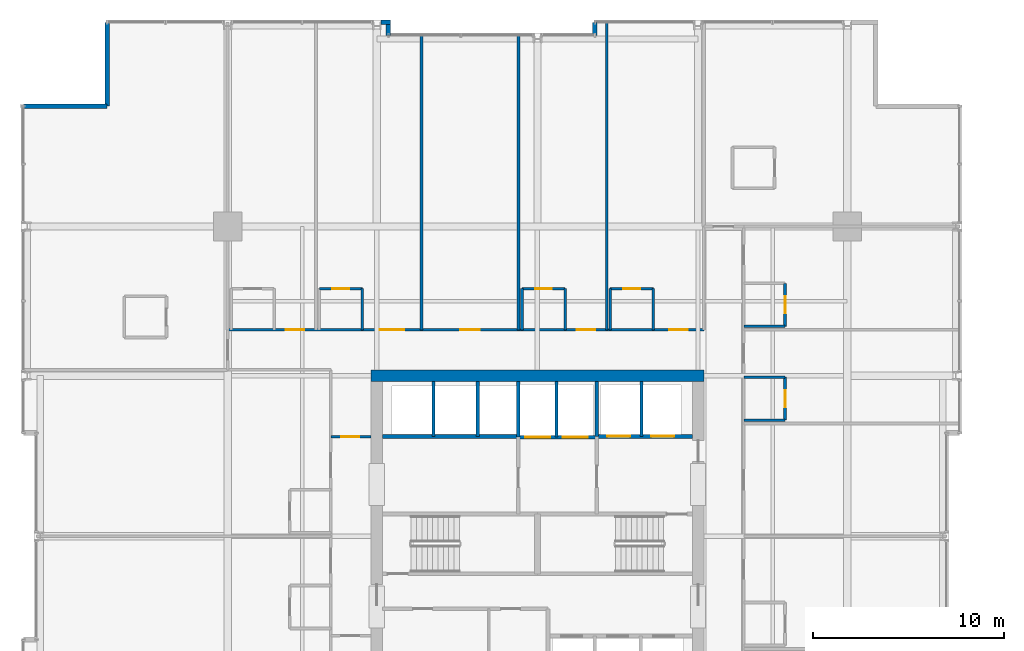
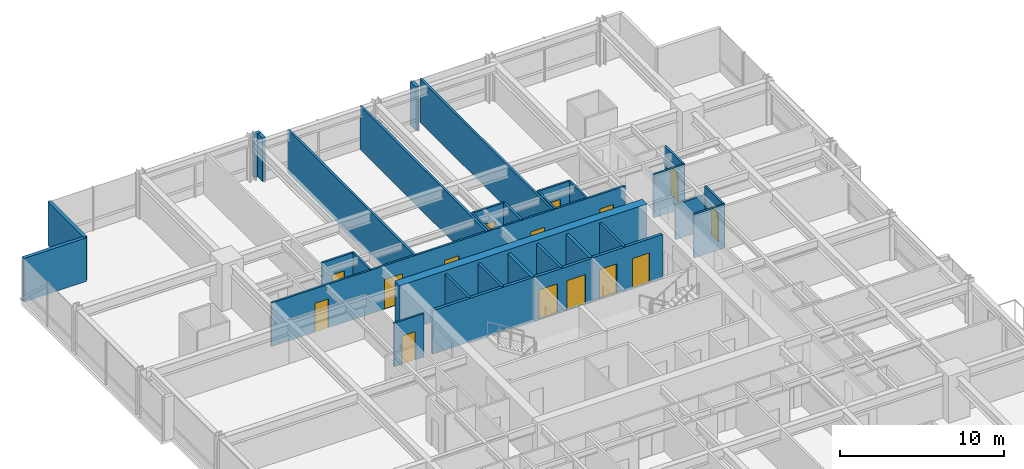
# One storey, part 31 of 34: 33 walls, 15 doors, 15 openings.
"""IFC4 building model written with IfcOpenShell, lengths in metres."""

import ifcopenshell
import ifcopenshell.guid

model = None  # the IFC model being written
_history = None  # IfcOwnerHistory: only IFC2X3 demands one
_inside = {}  # id of a spatial element -> (the spatial element, [elements in it])
_under = {}  # id of a project, library or spatial element -> (it, [spatial elements below it])
_declared = {}  # id of a project -> (the project, [libraries it declares])
_typed = {}  # id of a type object -> (the type object, [elements of that type])
_made_of = {}  # id of a material, layer set ... -> (it, [elements and type objects made of it])


def new_model(schema):
    """Start an empty IFC model of exactly this schema.

    Asked for "IFC4X3", IfcOpenShell would pick the latest addendum, in which some entities
    have other attributes; the version numbers below select the first issue.
    IFC2X3 requires an IfcOwnerHistory on every rooted entity: one is made here for all.
    """
    global model, _history
    if schema == "IFC4X3":
        model = ifcopenshell.file(schema_version=(4, 3, 0, 0))
    else:
        model = ifcopenshell.file(schema=schema)
    _inside.clear()
    _under.clear()
    _declared.clear()
    _typed.clear()
    _made_of.clear()
    _history = None
    if model.schema == "IFC2X3":
        org = make("IfcOrganization", Name="unknown")
        user = make(
            "IfcPersonAndOrganization",
            ThePerson=make("IfcPerson", FamilyName="unknown"),
            TheOrganization=org,
        )
        app = make(
            "IfcApplication",
            ApplicationDeveloper=org,
            Version="unknown",
            ApplicationFullName="unknown",
            ApplicationIdentifier="unknown",
        )
        _history = make(
            "IfcOwnerHistory",
            OwningUser=user,
            OwningApplication=app,
            ChangeAction="ADDED",
            CreationDate=0,
        )
    return model


def make(cls, **values):
    """One entity of the class cls with the attributes given. An attribute that is None is left unset."""
    return model.create_entity(
        cls, **{name: value for name, value in values.items() if value is not None}
    )


def rooted(cls, **values):
    """An entity with a GlobalId (a new one), such as an element, a storey or a relation."""
    return make(cls, GlobalId=ifcopenshell.guid.new(), OwnerHistory=_history, **values)


def si_unit(unit_type, name, prefix=None):
    """IfcSIUnit, for example si_unit("LENGTHUNIT", "METRE", prefix="MILLI")."""
    return make("IfcSIUnit", UnitType=unit_type, Prefix=prefix, Name=name)


def assignment(units):
    """IfcUnitAssignment: the units of a project."""
    return None if units is None else make("IfcUnitAssignment", Units=units)


def point(xyz):
    """IfcCartesianPoint."""
    return None if xyz is None else make("IfcCartesianPoint", Coordinates=xyz)


def direction(xyz):
    """IfcDirection."""
    return None if xyz is None else make("IfcDirection", DirectionRatios=xyz)


def frame(location, z_axis=None, x_axis=None):
    """IfcAxis2Placement3D, a coordinate frame: its origin and axes. An axis left out is left unset."""
    return make(
        "IfcAxis2Placement3D",
        Location=point(location),
        Axis=direction(z_axis),
        RefDirection=direction(x_axis),
    )


def frame_2d(location, x_axis=None):
    """IfcAxis2Placement2D, a coordinate frame in the plane: its origin and x axis."""
    return make(
        "IfcAxis2Placement2D", Location=point(location), RefDirection=direction(x_axis)
    )


def origin():
    """The frame at (0, 0, 0) with its axes left unset."""
    return frame((0.0, 0.0, 0.0))


def place(relative_to, where):
    """IfcLocalPlacement: puts the frame where relative to a parent placement (None: the world)."""
    return make(
        "IfcLocalPlacement", PlacementRelTo=relative_to, RelativePlacement=where
    )


def context(
    kind, dimensions, precision=None, world=None, true_north=None, identifier=None
):
    """IfcGeometricRepresentationContext, for example the 3D "Model" context."""
    return make(
        "IfcGeometricRepresentationContext",
        ContextIdentifier=identifier,
        ContextType=kind,
        CoordinateSpaceDimension=dimensions,
        Precision=precision,
        WorldCoordinateSystem=world,
        TrueNorth=true_north,
    )


def subcontext(parent, identifier, kind, view, scale=None):
    """IfcGeometricRepresentationSubContext, for example "Body" below "Model"."""
    return make(
        "IfcGeometricRepresentationSubContext",
        ContextIdentifier=identifier,
        ContextType=kind,
        ParentContext=parent,
        TargetScale=scale,
        TargetView=view,
    )


def project(units=None, contexts=None):
    """IfcProject with its units and contexts."""
    return rooted(
        "IfcProject",
        Name="project",
        RepresentationContexts=contexts,
        UnitsInContext=assignment(units),
    )


def spatial(cls, under=None, at=None, **own):
    """A site, building, storey or space (cls), placed at a placement, below another one or the project."""
    s = rooted(cls, ObjectPlacement=at, **own)
    if under is not None:
        _under.setdefault(under.id(), (under, []))[1].append(s)
    return s


def profile(cls, at=None, kind="AREA", **sizes):
    """A parametric profile (cls). Its sizes go by their IFC names, for example OverallWidth=200.0."""
    return make(cls, ProfileType=kind, Position=at, **sizes)


def rectangle(**sizes):
    """IfcRectangleProfileDef."""
    return profile("IfcRectangleProfileDef", **sizes)


def extrude(swept, where, along, depth):
    """IfcExtrudedAreaSolid: the profile swept, set in the frame where, extruded along a direction by depth."""
    return make(
        "IfcExtrudedAreaSolid",
        SweptArea=swept,
        Position=where,
        ExtrudedDirection=direction(along),
        Depth=depth,
    )


def shape(context_of_items, identifier, shape_type, items):
    """IfcShapeRepresentation: the items that make up one representation, for example the "Body"."""
    return make(
        "IfcShapeRepresentation",
        ContextOfItems=context_of_items,
        RepresentationIdentifier=identifier,
        RepresentationType=shape_type,
        Items=items,
    )


def material(Name=None, Category=None):
    """IfcMaterial."""
    return make("IfcMaterial", Name=Name, Category=Category)


def layer(
    of_material, thickness, ventilated=None, Name=None, Category=None, Priority=None
):
    """IfcMaterialLayer: one layer of a wall or slab, of a material (None: an air gap)."""
    return make(
        "IfcMaterialLayer",
        Material=of_material,
        LayerThickness=thickness,
        IsVentilated=ventilated,
        Name=Name,
        Category=Category,
        Priority=Priority,
    )


def layer_set(layers, Name=None):
    """IfcMaterialLayerSet."""
    return make("IfcMaterialLayerSet", MaterialLayers=layers, LayerSetName=Name)


def made_of(thing, what):
    """Note that an element or type object is made of a material, layer set ...; save() writes the relation."""
    if what is not None:
        _made_of.setdefault(what.id(), (what, []))[1].append(thing)
    return thing


def type_object(cls, material=None, **own):
    """A type object (cls), such as IfcWallType, which elements share."""
    return made_of(rooted(cls, **own), material)


def element(
    cls,
    number,
    at=None,
    inside=None,
    cuts=None,
    type_object=None,
    material=None,
    context=None,
    identifier="Body",
    shape_type=None,
    held_by="IfcProductDefinitionShape",
    body=None,
    shapes=None,
    **own,
):
    """One element of the class cls, such as IfcWall. Its Tag is "e" and its number.

    at: its placement. inside: the storey or other place that contains it. cuts: it is an
    opening in that element (IfcRelVoidsElement). A single representation is given by context,
    identifier, shape_type and body (its items); several are given by shapes. held_by: the class
    of the entity that holds the representations. save() writes the other relations.
    """
    e = rooted(cls, Tag="e%d" % number, ObjectPlacement=at, **own)
    if body is not None:
        shapes = [shape(context, identifier, shape_type, body)]
    if shapes is not None:
        e.Representation = make(held_by, Representations=shapes)
    if inside is not None:
        _inside.setdefault(inside.id(), (inside, []))[1].append(e)
    if cuts is not None:
        rooted(
            "IfcRelVoidsElement", RelatingBuildingElement=cuts, RelatedOpeningElement=e
        )
    if type_object is not None:
        _typed.setdefault(type_object.id(), (type_object, []))[1].append(e)
    return made_of(e, material)


def fill(opening, filler):
    """IfcRelFillsElement: the door or window that sits in an opening."""
    return rooted(
        "IfcRelFillsElement",
        RelatingOpeningElement=opening,
        RelatedBuildingElement=filler,
    )


def aggregate(whole, parts):
    """IfcRelAggregates: a whole, such as a stair, and the parts it consists of."""
    return rooted("IfcRelAggregates", RelatingObject=whole, RelatedObjects=parts)


def save(model, path):
    """Write the relations noted so far, then the file.

    IfcRelAggregates (storeys below a building ...), IfcRelContainedInSpatialStructure (elements
    in a storey), IfcRelDefinesByType, IfcRelAssociatesMaterial and IfcRelDeclares: one each for
    every whole, place, type object, material and project.
    """
    for whole, parts in _under.values():
        aggregate(whole, parts)
    for where, things in _inside.values():
        rooted(
            "IfcRelContainedInSpatialStructure",
            RelatedElements=things,
            RelatingStructure=where,
        )
    for kind, things in _typed.values():
        rooted("IfcRelDefinesByType", RelatedObjects=things, RelatingType=kind)
    for what, things in _made_of.values():
        rooted("IfcRelAssociatesMaterial", RelatedObjects=things, RelatingMaterial=what)
    for by, libraries in _declared.values():
        rooted("IfcRelDeclares", RelatingContext=by, RelatedDefinitions=libraries)
    model.write(path)


model = new_model("IFC4")

# Units and contexts
model_context = context("Model", 3, precision=1e-05, world=origin(), true_north=direction((0.0, 1.0)))
body_context = subcontext(model_context, "Body", "Model", "MODEL_VIEW")
ifc_project = project(units=[si_unit("LENGTHUNIT", "METRE"), si_unit("AREAUNIT", "SQUARE_METRE"), si_unit("VOLUMEUNIT", "CUBIC_METRE"), si_unit("PLANEANGLEUNIT", "RADIAN"), si_unit("MASSUNIT", "GRAM", prefix="KILO")], contexts=[model_context])

# Site, building, storey
site_placement = place(None, origin())
site = spatial("IfcSite", under=ifc_project, at=site_placement, CompositionType="ELEMENT")
building_placement = place(site_placement, origin())
building = spatial("IfcBuilding", under=site, at=building_placement, Name="Drelvath Grand Hotel", CompositionType="ELEMENT")
storey_placement = place(building_placement, frame((0.0, 0.0, 91.800048828125)))
storey = spatial("IfcBuildingStorey", under=building, at=storey_placement, Name="L22", CompositionType="ELEMENT", Elevation=91.800048828125)

# Wall, openings, doors
ifc_material_1 = material(Name="Concrete C40/50", Category="concrete")
ifc_layer_1 = layer(ifc_material_1, 0.199951171875)
ifc_layer_set_1 = layer_set([ifc_layer_1], Name="Concrete C40/50")
wall_type_1 = type_object("IfcWallType", Name="Core Hoistway Fire Wall 200", PredefinedType="SOLIDWALL", material=ifc_layer_set_1)
wall_1_placement = place(storey_placement, frame((3.10009765625, 32.219970703125, 0.0), z_axis=(0.0, 0.0, 1.0), x_axis=(1.0, 0.0, 0.0)))
wall_1 = element("IfcWall", 1, at=wall_1_placement, inside=storey, type_object=wall_type_1, Name="L22 FSAE Hoistway Front Wall", PredefinedType="SOLIDWALL", context=body_context, shape_type="SweptSolid", body=[
    extrude(rectangle(XDim=5.0, YDim=0.199951171875, at=frame_2d((2.5, 0.0))), origin(), (0.0, 0.0, 1.0), 3.239990234375),
])
opening_1_placement = place(wall_1_placement, frame((0.550048828125, 0.0, 0.0)))
opening_1 = element("IfcOpeningElement", 2, at=opening_1_placement, cuts=wall_1, Name="Opening LD-FSAE-1", PredefinedType="OPENING", context=body_context, shape_type="SweptSolid", body=[
    extrude(rectangle(XDim=1.199951171875, YDim=2.199951171875, at=frame_2d((0.60009765625, 1.10009765625))), frame((0.0, 0.10986328125, 0.0), z_axis=(0.0, -1.0, 0.0), x_axis=(1.0, 0.0, 0.0)), (0.0, 0.0, 1.0), 0.219970703125),
])
opening_2_placement = place(wall_1_placement, frame((2.85009765625, 0.0, 0.0)))
opening_2 = element("IfcOpeningElement", 3, at=opening_2_placement, cuts=wall_1, Name="Opening LD-FSAE-2", PredefinedType="OPENING", context=body_context, shape_type="SweptSolid", body=[
    extrude(rectangle(XDim=1.199951171875, YDim=2.199951171875, at=frame_2d((0.60009765625, 1.10009765625))), frame((0.0, 0.10986328125, 0.0), z_axis=(0.0, -1.0, 0.0), x_axis=(1.0, 0.0, 0.0)), (0.0, 0.0, 1.0), 0.219970703125),
])
ifc_material_2 = material(Name="Stainless Steel S355", Category="steel")
door_type_1 = type_object("IfcDoorType", Name="FSAE Lift Sliding Landing Door 1200x2200", OperationType="NOTDEFINED", PredefinedType="DOOR", material=ifc_material_2)
door_1_placement = place(opening_1_placement, origin())
door_1 = element("IfcDoor", 4, at=door_1_placement, inside=storey, type_object=door_type_1, Name="L22 Lift FSAE-1 Landing Door", OperationType="SLIDING_TO_LEFT", OverallHeight=2.199951171875, OverallWidth=1.199951171875, PredefinedType="DOOR", context=body_context, shape_type="SweptSolid", body=[
    extrude(rectangle(XDim=1.199951171875, YDim=2.199951171875, at=frame_2d((0.60009765625, 1.10009765625))), frame((0.0, 0.02490234375, 0.0), z_axis=(0.0, -1.0, 0.0), x_axis=(1.0, 0.0, 0.0)), (0.0, 0.0, 1.0), 0.050048828125),
])
fill(opening_1, door_1)
door_2_placement = place(opening_2_placement, origin())
door_2 = element("IfcDoor", 5, at=door_2_placement, inside=storey, type_object=door_type_1, Name="L22 Lift FSAE-2 Landing Door", OperationType="SLIDING_TO_LEFT", OverallHeight=2.199951171875, OverallWidth=1.199951171875, PredefinedType="DOOR", context=body_context, shape_type="SweptSolid", body=[
    extrude(rectangle(XDim=1.199951171875, YDim=2.199951171875, at=frame_2d((0.60009765625, 1.10009765625))), frame((0.0, 0.02490234375, 0.0), z_axis=(0.0, -1.0, 0.0), x_axis=(1.0, 0.0, 0.0)), (0.0, 0.0, 1.0), 0.050048828125),
])
fill(opening_2, door_2)

# Wall
wall_2_placement = place(storey_placement, frame((3.10009765625, 32.219970703125, 0.0), z_axis=(0.0, 0.0, 1.0), x_axis=(0.0, 1.0, 0.0)))
element("IfcWall", 6, at=wall_2_placement, inside=storey, type_object=wall_type_1, Name="L22 FSAE Hoistway West Wall", PredefinedType="SOLIDWALL", context=body_context, shape_type="SweptSolid", body=[
    extrude(rectangle(XDim=2.880126953125, YDim=0.199951171875, at=frame_2d((1.43994140625, 0.0))), origin(), (0.0, 0.0, 1.0), 3.239990234375),
])

# Wall, openings, doors
wall_3_placement = place(storey_placement, frame((-1.0, 32.179931640625, 0.0), z_axis=(0.0, 0.0, 1.0), x_axis=(1.0, 0.0, 0.0)))
wall_3 = element("IfcWall", 7, at=wall_3_placement, inside=storey, type_object=wall_type_1, Name="L22 Service Lift Hoistway Wall", PredefinedType="SOLIDWALL", context=body_context, shape_type="SweptSolid", body=[
    extrude(rectangle(XDim=4.10009765625, YDim=0.199951171875, at=frame_2d((2.050048828125, 0.0))), origin(), (0.0, 0.0, 1.0), 3.239990234375),
])
opening_3_placement = place(wall_3_placement, frame((0.3701171875, 0.0, 0.0)))
opening_3 = element("IfcOpeningElement", 8, at=opening_3_placement, cuts=wall_3, Name="Opening LD-SV-2", PredefinedType="OPENING", context=body_context, shape_type="SweptSolid", body=[
    extrude(rectangle(XDim=1.300048828125, YDim=2.199951171875, at=frame_2d((0.64990234375, 1.10009765625))), frame((0.0, 0.10986328125, 0.0), z_axis=(0.0, -1.0, 0.0), x_axis=(1.0, 0.0, 0.0)), (0.0, 0.0, 1.0), 0.219970703125),
])
opening_4_placement = place(wall_3_placement, frame((2.330078125, 0.0, 0.0)))
opening_4 = element("IfcOpeningElement", 9, at=opening_4_placement, cuts=wall_3, Name="Opening LD-SV-1", PredefinedType="OPENING", context=body_context, shape_type="SweptSolid", body=[
    extrude(rectangle(XDim=1.300048828125, YDim=2.199951171875, at=frame_2d((0.64990234375, 1.10009765625))), frame((0.0, 0.10986328125, 0.0), z_axis=(0.0, -1.0, 0.0), x_axis=(1.0, 0.0, 0.0)), (0.0, 0.0, 1.0), 0.219970703125),
])
door_type_2 = type_object("IfcDoorType", Name="Service Lift Sliding Landing Door 1300x2200", OperationType="NOTDEFINED", PredefinedType="DOOR", material=ifc_material_2)
door_3_placement = place(opening_3_placement, origin())
door_3 = element("IfcDoor", 10, at=door_3_placement, inside=storey, type_object=door_type_2, Name="L22 Lift SV-2 Landing Door", OperationType="SLIDING_TO_LEFT", OverallHeight=2.199951171875, OverallWidth=1.300048828125, PredefinedType="DOOR", context=body_context, shape_type="SweptSolid", body=[
    extrude(rectangle(XDim=1.300048828125, YDim=2.199951171875, at=frame_2d((0.64990234375, 1.10009765625))), frame((0.0, 0.02490234375, 0.0), z_axis=(0.0, -1.0, 0.0), x_axis=(1.0, 0.0, 0.0)), (0.0, 0.0, 1.0), 0.050048828125),
])
fill(opening_3, door_3)
door_4_placement = place(opening_4_placement, origin())
door_4 = element("IfcDoor", 11, at=door_4_placement, inside=storey, type_object=door_type_2, Name="L22 Lift SV-1 Landing Door", OperationType="SLIDING_TO_LEFT", OverallHeight=2.199951171875, OverallWidth=1.300048828125, PredefinedType="DOOR", context=body_context, shape_type="SweptSolid", body=[
    extrude(rectangle(XDim=1.300048828125, YDim=2.199951171875, at=frame_2d((0.64990234375, 1.10009765625))), frame((0.0, 0.02490234375, 0.0), z_axis=(0.0, -1.0, 0.0), x_axis=(1.0, 0.0, 0.0)), (0.0, 0.0, 1.0), 0.050048828125),
])
fill(opening_4, door_4)

# Walls
wall_4_placement = place(storey_placement, frame((-1.0, 32.179931640625, 0.0), z_axis=(0.0, 0.0, 1.0), x_axis=(0.0, 1.0, 0.0)))
element("IfcWall", 12, at=wall_4_placement, inside=storey, type_object=wall_type_1, Name="L22 Service Lift West Wall", PredefinedType="SOLIDWALL", context=body_context, shape_type="SweptSolid", body=[
    extrude(rectangle(XDim=2.920166015625, YDim=0.199951171875, at=frame_2d((1.4599609375, 0.0))), origin(), (0.0, 0.0, 1.0), 3.239990234375),
])
wall_5_placement = place(storey_placement, frame((-8.10009765625, 32.219970703125, 0.0), z_axis=(0.0, 0.0, 1.0), x_axis=(1.0, 0.0, 0.0)))
element("IfcWall", 13, at=wall_5_placement, inside=storey, type_object=wall_type_1, Name="L22 Bank 3 Hoistway Wall", PredefinedType="SOLIDWALL", context=body_context, shape_type="SweptSolid", body=[
    extrude(rectangle(XDim=7.10009765625, YDim=0.199951171875, at=frame_2d((3.550048828125, 0.0))), origin(), (0.0, 0.0, 1.0), 3.239990234375),
])
ifc_material_3 = material(Name="Gypsum Fireboard Partition")
ifc_layer_2 = layer(ifc_material_3, 0.1650390625)
ifc_layer_set_2 = layer_set([ifc_layer_2], Name="Gypsum Fireboard Partition")
wall_type_2 = type_object("IfcWallType", Name="Core Shaft Partition 165", PredefinedType="PARTITIONING", material=ifc_layer_set_2)
wall_6_placement = place(storey_placement, frame((5.449951171875, 32.219970703125, 0.0), z_axis=(0.0, 0.0, 1.0), x_axis=(0.0, 1.0, 0.0)))
element("IfcWall", 14, at=wall_6_placement, inside=storey, type_object=wall_type_2, Name="L22 FSAE Hoistway Divider", PredefinedType="PARTITIONING", context=body_context, shape_type="SweptSolid", body=[
    extrude(rectangle(XDim=2.880126953125, YDim=0.1650390625, at=frame_2d((1.43994140625, 0.0))), origin(), (0.0, 0.0, 1.0), 3.239990234375),
])
wall_7_placement = place(storey_placement, frame((1.0, 32.179931640625, 0.0), z_axis=(0.0, 0.0, 1.0), x_axis=(0.0, 1.0, 0.0)))
element("IfcWall", 15, at=wall_7_placement, inside=storey, type_object=wall_type_2, Name="L22 Service Lift Divider", PredefinedType="PARTITIONING", context=body_context, shape_type="SweptSolid", body=[
    extrude(rectangle(XDim=2.920166015625, YDim=0.1650390625, at=frame_2d((1.4599609375, 0.0))), origin(), (0.0, 0.0, 1.0), 3.239990234375),
])
for number, where, z_axis, x_axis, name in (
    (16, (-5.43994140625, 32.219970703125, 0.0), (0.0, 0.0, 1.0), (0.0, 1.0, 0.0), "L22 Lift PE-7/8 Divider"),
    (17, (-3.1201171875, 32.219970703125, 0.0), (0.0, 0.0, 1.0), (0.0, 1.0, 0.0), "L22 Lift PE-8/9 Divider"),
):
    element("IfcWall", number, at=place(storey_placement, frame(where, z_axis=z_axis, x_axis=x_axis)), inside=storey, type_object=wall_type_2, Name=name, PredefinedType="PARTITIONING", context=body_context, shape_type="SweptSolid", body=[
        extrude(rectangle(XDim=2.880126953125, YDim=0.1650390625, at=frame_2d((1.43994140625, 0.0))), origin(), (0.0, 0.0, 1.0), 3.239990234375),
    ])

# Wall, opening, door
ifc_layer_3 = layer(ifc_material_3, 0.135009765625)
ifc_layer_set_3 = layer_set([ifc_layer_3], Name="Gypsum Fireboard Partition")
wall_type_3 = type_object("IfcWallType", Name="Corridor Fire Barrier Wall 135", PredefinedType="PARTITIONING", material=ifc_layer_set_3)
wall_8_placement = place(storey_placement, frame((-10.800048828125, 32.199951171875, 0.0), z_axis=(0.0, 0.0, 1.0), x_axis=(1.0, 0.0, 0.0)))
wall_8 = element("IfcWall", 18, at=wall_8_placement, inside=storey, type_object=wall_type_3, Name="L22 West Foyer North Wall", PredefinedType="PARTITIONING", context=body_context, shape_type="SweptSolid", body=[
    extrude(rectangle(XDim=2.10009765625, YDim=0.135009765625, at=frame_2d((1.050048828125, 0.0))), origin(), (0.0, 0.0, 1.0), 3.239990234375),
])
opening_5_placement = place(wall_8_placement, frame((0.550048828125, 0.0, 0.0)))
opening_5 = element("IfcOpeningElement", 19, at=opening_5_placement, cuts=wall_8, Name="Opening D-T2G1-018", PredefinedType="OPENING", context=body_context, shape_type="SweptSolid", body=[
    extrude(rectangle(XDim=0.919921875, YDim=2.10009765625, at=frame_2d((0.4599609375, 1.050048828125))), frame((0.0, 0.077392578125, 0.0), z_axis=(0.0, -1.0, 0.0), x_axis=(1.0, 0.0, 0.0)), (0.0, 0.0, 1.0), 0.155029296875),
])
ifc_material_4 = material(Name="Painted Steel S275", Category="steel")
door_type_3 = type_object("IfcDoorType", Name="Staff Utility Door 920x2100", OperationType="NOTDEFINED", PredefinedType="DOOR", material=ifc_material_4)
door_5_placement = place(opening_5_placement, origin())
door_5 = element("IfcDoor", 20, at=door_5_placement, inside=storey, type_object=door_type_3, Name="L22 West Pantry Door", OperationType="SINGLE_SWING_LEFT", OverallHeight=2.10009765625, OverallWidth=0.919921875, PredefinedType="DOOR", context=body_context, shape_type="SweptSolid", body=[
    extrude(rectangle(XDim=0.919921875, YDim=2.10009765625, at=frame_2d((0.4599609375, 1.050048828125))), frame((0.0, 0.02490234375, 0.0), z_axis=(0.0, -1.0, 0.0), x_axis=(1.0, 0.0, 0.0)), (0.0, 0.0, 1.0), 0.050048828125),
])
fill(opening_5, door_5)

# Wall, openings, doors
wall_9_placement = place(storey_placement, frame((-16.199951171875, 37.800048828125, 0.0), z_axis=(0.0, 0.0, 1.0), x_axis=(1.0, 0.0, 0.0)))
wall_9 = element("IfcWall", 21, at=wall_9_placement, inside=storey, type_object=wall_type_3, Name="L22 North Stub Corridor Wall", PredefinedType="PARTITIONING", context=body_context, shape_type="SweptSolid", body=[
    extrude(rectangle(XDim=24.89990234375, YDim=0.135009765625, at=frame_2d((12.449951171875, 0.0))), origin(), (0.0, 0.0, 1.0), 3.239990234375),
])
opening_6_placement = place(wall_9_placement, frame((3.04052734375, 0.0, 0.0)))
opening_6 = element("IfcOpeningElement", 22, at=opening_6_placement, cuts=wall_9, Name="Opening D-T2G1-038", PredefinedType="OPENING", context=body_context, shape_type="SweptSolid", body=[
    extrude(rectangle(XDim=0.9599609375, YDim=2.14990234375, at=frame_2d((0.47998046875, 1.074951171875))), frame((0.0, 0.077392578125, 0.0), z_axis=(0.0, -1.0, 0.0), x_axis=(1.0, 0.0, 0.0)), (0.0, 0.0, 1.0), 0.155029296875),
])
opening_7_placement = place(wall_9_placement, frame((7.962890625, 0.0, 0.0)))
opening_7 = element("IfcOpeningElement", 23, at=opening_7_placement, cuts=wall_9, Name="Opening D-T2G1-040", PredefinedType="OPENING", context=body_context, shape_type="SweptSolid", body=[
    extrude(rectangle(XDim=1.260009765625, YDim=2.199951171875, at=frame_2d((0.6298828125, 1.10009765625))), frame((0.0, 0.077392578125, 0.0), z_axis=(0.0, -1.0, 0.0), x_axis=(1.0, 0.0, 0.0)), (0.0, 0.0, 1.0), 0.155029296875),
])
opening_8_placement = place(wall_9_placement, frame((12.170654296875, 0.0, 0.0)))
opening_8 = element("IfcOpeningElement", 24, at=opening_8_placement, cuts=wall_9, Name="Opening D-T2G1-041", PredefinedType="OPENING", context=body_context, shape_type="SweptSolid", body=[
    extrude(rectangle(XDim=1.02001953125, YDim=2.14990234375, at=frame_2d((0.510009765625, 1.074951171875))), frame((0.0, 0.077392578125, 0.0), z_axis=(0.0, -1.0, 0.0), x_axis=(1.0, 0.0, 0.0)), (0.0, 0.0, 1.0), 0.155029296875),
])
opening_9_placement = place(wall_9_placement, frame((18.25732421875, 0.0, 0.0)))
opening_9 = element("IfcOpeningElement", 25, at=opening_9_placement, cuts=wall_9, Name="Opening D-T2G1-043", PredefinedType="OPENING", context=body_context, shape_type="SweptSolid", body=[
    extrude(rectangle(XDim=0.9599609375, YDim=2.14990234375, at=frame_2d((0.47998046875, 1.074951171875))), frame((0.0, 0.077392578125, 0.0), z_axis=(0.0, -1.0, 0.0), x_axis=(1.0, 0.0, 0.0)), (0.0, 0.0, 1.0), 0.155029296875),
])
opening_10_placement = place(wall_9_placement, frame((23.098876953125, 0.0, 0.0)))
opening_10 = element("IfcOpeningElement", 26, at=opening_10_placement, cuts=wall_9, Name="Opening D-T2G1-045", PredefinedType="OPENING", context=body_context, shape_type="SweptSolid", body=[
    extrude(rectangle(XDim=0.9599609375, YDim=2.14990234375, at=frame_2d((0.47998046875, 1.074951171875))), frame((0.0, 0.077392578125, 0.0), z_axis=(0.0, -1.0, 0.0), x_axis=(1.0, 0.0, 0.0)), (0.0, 0.0, 1.0), 0.155029296875),
])
ifc_material_5 = material(Name="Hardwood Walnut Timber", Category="wood")
door_type_4 = type_object("IfcDoorType", Name="Amenity Meeting Fire Door 1020x2150", OperationType="NOTDEFINED", PredefinedType="DOOR", material=ifc_material_5)
door_6_placement = place(opening_8_placement, origin())
door_6 = element("IfcDoor", 27, at=door_6_placement, inside=storey, type_object=door_type_4, Name="L22 Mid-Rise Business Lounge Entry Door", OperationType="SINGLE_SWING_RIGHT", OverallHeight=2.14990234375, OverallWidth=1.02001953125, PredefinedType="DOOR", context=body_context, shape_type="SweptSolid", body=[
    extrude(rectangle(XDim=1.02001953125, YDim=2.14990234375, at=frame_2d((0.510009765625, 1.074951171875))), frame((0.0, 0.02490234375, 0.0), z_axis=(0.0, -1.0, 0.0), x_axis=(1.0, 0.0, 0.0)), (0.0, 0.0, 1.0), 0.050048828125),
])
fill(opening_8, door_6)
door_type_5 = type_object("IfcDoorType", Name="Guestroom Entrance Fire Door 960x2150", OperationType="NOTDEFINED", PredefinedType="DOOR", material=ifc_material_5)
door_7_placement = place(opening_6_placement, origin())
door_7 = element("IfcDoor", 28, at=door_7_placement, inside=storey, type_object=door_type_5, Name="L22 Deluxe Guest Room Entry Door", OperationType="SINGLE_SWING_LEFT", OverallHeight=2.14990234375, OverallWidth=0.9599609375, PredefinedType="DOOR", context=body_context, shape_type="SweptSolid", body=[
    extrude(rectangle(XDim=0.9599609375, YDim=2.14990234375, at=frame_2d((0.47998046875, 1.074951171875))), frame((0.0, 0.02490234375, 0.0), z_axis=(0.0, -1.0, 0.0), x_axis=(1.0, 0.0, 0.0)), (0.0, 0.0, 1.0), 0.050048828125),
])
fill(opening_6, door_7)
door_8_placement = place(opening_9_placement, origin())
door_8 = element("IfcDoor", 29, at=door_8_placement, inside=storey, type_object=door_type_5, Name="L22 Deluxe Guest Room Entry Door", OperationType="SINGLE_SWING_RIGHT", OverallHeight=2.14990234375, OverallWidth=0.9599609375, PredefinedType="DOOR", context=body_context, shape_type="SweptSolid", body=[
    extrude(rectangle(XDim=0.9599609375, YDim=2.14990234375, at=frame_2d((0.47998046875, 1.074951171875))), frame((0.0, 0.02490234375, 0.0), z_axis=(0.0, -1.0, 0.0), x_axis=(1.0, 0.0, 0.0)), (0.0, 0.0, 1.0), 0.050048828125),
])
fill(opening_9, door_8)
door_9_placement = place(opening_10_placement, origin())
door_9 = element("IfcDoor", 30, at=door_9_placement, inside=storey, type_object=door_type_5, Name="L22 Deluxe Guest Room Entry Door", OperationType="SINGLE_SWING_RIGHT", OverallHeight=2.14990234375, OverallWidth=0.9599609375, PredefinedType="DOOR", context=body_context, shape_type="SweptSolid", body=[
    extrude(rectangle(XDim=0.9599609375, YDim=2.14990234375, at=frame_2d((0.47998046875, 1.074951171875))), frame((0.0, 0.02490234375, 0.0), z_axis=(0.0, -1.0, 0.0), x_axis=(1.0, 0.0, 0.0)), (0.0, 0.0, 1.0), 0.050048828125),
])
fill(opening_10, door_9)
door_type_6 = type_object("IfcDoorType", Name="Suite Entrance Fire Door 1260x2200", OperationType="NOTDEFINED", PredefinedType="DOOR", material=ifc_material_5)
door_10_placement = place(opening_7_placement, origin())
door_10 = element("IfcDoor", 31, at=door_10_placement, inside=storey, type_object=door_type_6, Name="L22 Corner Suite Entry Door", OperationType="SINGLE_SWING_LEFT", OverallHeight=2.199951171875, OverallWidth=1.260009765625, PredefinedType="DOOR", context=body_context, shape_type="SweptSolid", body=[
    extrude(rectangle(XDim=1.260009765625, YDim=2.199951171875, at=frame_2d((0.6298828125, 1.10009765625))), frame((0.0, 0.02490234375, 0.0), z_axis=(0.0, -1.0, 0.0), x_axis=(1.0, 0.0, 0.0)), (0.0, 0.0, 1.0), 0.050048828125),
])
fill(opening_7, door_10)

# Wall
ifc_material_6 = material(Name="Moisture-Resistant Gypsum Board")
ifc_layer_4 = layer(ifc_material_6, 0.139892578125)
ifc_layer_set_4 = layer_set([ifc_layer_4], Name="Moisture-Resistant Gypsum Board")
wall_type_4 = type_object("IfcWallType", Name="En-Suite Plumbing Wall 140", PredefinedType="PLUMBINGWALL", material=ifc_layer_set_4)
wall_10_placement = place(storey_placement, frame((-9.158935546875, 37.800048828125, 0.0), z_axis=(0.0, 0.0, 1.0), x_axis=(0.0, 1.0, 0.0)))
element("IfcWall", 32, at=wall_10_placement, inside=storey, type_object=wall_type_4, Name="L22 En-Suite Right Wall", PredefinedType="PLUMBINGWALL", context=body_context, shape_type="SweptSolid", body=[
    extrude(rectangle(XDim=2.14990234375, YDim=0.139892578125, at=frame_2d((1.074951171875, 0.0))), origin(), (0.0, 0.0, 1.0), 3.239990234375),
])

# Wall, opening, door
wall_11_placement = place(storey_placement, frame((-11.408935546875, 39.949951171875, 0.0), z_axis=(0.0, 0.0, 1.0), x_axis=(1.0, 0.0, 0.0)))
wall_11 = element("IfcWall", 33, at=wall_11_placement, inside=storey, type_object=wall_type_4, Name="L22 En-Suite Front Wall", PredefinedType="PLUMBINGWALL", context=body_context, shape_type="SweptSolid", body=[
    extrude(rectangle(XDim=2.25, YDim=0.139892578125, at=frame_2d((1.125, 0.0))), origin(), (0.0, 0.0, 1.0), 3.239990234375),
])
opening_11_placement = place(wall_11_placement, frame((0.68505859375, 0.0, 0.0)))
opening_11 = element("IfcOpeningElement", 34, at=opening_11_placement, cuts=wall_11, Name="Opening D-T2G1-039", PredefinedType="OPENING", context=body_context, shape_type="SweptSolid", body=[
    extrude(rectangle(XDim=0.8798828125, YDim=2.10009765625, at=frame_2d((0.43994140625, 1.050048828125))), frame((0.0, 0.079833984375, 0.0), z_axis=(0.0, -1.0, 0.0), x_axis=(1.0, 0.0, 0.0)), (0.0, 0.0, 1.0), 0.159912109375),
])
door_type_7 = type_object("IfcDoorType", Name="En-Suite Bathroom Door 880x2100", OperationType="NOTDEFINED", PredefinedType="DOOR", material=ifc_material_5)
door_11_placement = place(opening_11_placement, origin())
door_11 = element("IfcDoor", 35, at=door_11_placement, inside=storey, type_object=door_type_7, Name="L22 En-Suite Bathroom Door", OperationType="SINGLE_SWING_RIGHT", OverallHeight=2.10009765625, OverallWidth=0.8798828125, PredefinedType="DOOR", context=body_context, shape_type="SweptSolid", body=[
    extrude(rectangle(XDim=0.8798828125, YDim=2.10009765625, at=frame_2d((0.43994140625, 1.050048828125))), frame((0.0, 0.02490234375, 0.0), z_axis=(0.0, -1.0, 0.0), x_axis=(1.0, 0.0, 0.0)), (0.0, 0.0, 1.0), 0.050048828125),
])
fill(opening_11, door_11)

# Walls
for number, where, z_axis, x_axis, name in (
    (36, (-0.80322265625, 37.800048828125, 0.0), (0.0, 0.0, 1.0), (0.0, 1.0, 0.0), "L22 En-Suite Left Wall"),
    (37, (1.44677734375, 37.800048828125, 0.0), (0.0, 0.0, 1.0), (0.0, 1.0, 0.0), "L22 En-Suite Right Wall"),
):
    element("IfcWall", number, at=place(storey_placement, frame(where, z_axis=z_axis, x_axis=x_axis)), inside=storey, type_object=wall_type_4, Name=name, PredefinedType="PLUMBINGWALL", context=body_context, shape_type="SweptSolid", body=[
        extrude(rectangle(XDim=2.14990234375, YDim=0.139892578125, at=frame_2d((1.074951171875, 0.0))), origin(), (0.0, 0.0, 1.0), 3.239990234375),
    ])

# Wall, opening, door
wall_12_placement = place(storey_placement, frame((-0.80322265625, 39.949951171875, 0.0), z_axis=(0.0, 0.0, 1.0), x_axis=(1.0, 0.0, 0.0)))
wall_12 = element("IfcWall", 38, at=wall_12_placement, inside=storey, type_object=wall_type_4, Name="L22 En-Suite Front Wall", PredefinedType="PLUMBINGWALL", context=body_context, shape_type="SweptSolid", body=[
    extrude(rectangle(XDim=2.25, YDim=0.139892578125, at=frame_2d((1.125, 0.0))), origin(), (0.0, 0.0, 1.0), 3.239990234375),
])
opening_12_placement = place(wall_12_placement, frame((0.68505859375, 0.0, 0.0)))
opening_12 = element("IfcOpeningElement", 39, at=opening_12_placement, cuts=wall_12, Name="Opening D-T2G1-042", PredefinedType="OPENING", context=body_context, shape_type="SweptSolid", body=[
    extrude(rectangle(XDim=0.8798828125, YDim=2.10009765625, at=frame_2d((0.43994140625, 1.050048828125))), frame((0.0, 0.079833984375, 0.0), z_axis=(0.0, -1.0, 0.0), x_axis=(1.0, 0.0, 0.0)), (0.0, 0.0, 1.0), 0.159912109375),
])
door_12_placement = place(opening_12_placement, origin())
door_12 = element("IfcDoor", 40, at=door_12_placement, inside=storey, type_object=door_type_7, Name="L22 En-Suite Bathroom Door", OperationType="SINGLE_SWING_LEFT", OverallHeight=2.10009765625, OverallWidth=0.8798828125, PredefinedType="DOOR", context=body_context, shape_type="SweptSolid", body=[
    extrude(rectangle(XDim=0.8798828125, YDim=2.10009765625, at=frame_2d((0.43994140625, 1.050048828125))), frame((0.0, 0.02490234375, 0.0), z_axis=(0.0, -1.0, 0.0), x_axis=(1.0, 0.0, 0.0)), (0.0, 0.0, 1.0), 0.050048828125),
])
fill(opening_12, door_12)

# Walls
for number, where, z_axis, x_axis, name in (
    (41, (3.807861328125, 37.800048828125, 0.0), (0.0, 0.0, 1.0), (0.0, 1.0, 0.0), "L22 En-Suite Left Wall"),
    (42, (6.057861328125, 37.800048828125, 0.0), (0.0, 0.0, 1.0), (0.0, 1.0, 0.0), "L22 En-Suite Right Wall"),
):
    element("IfcWall", number, at=place(storey_placement, frame(where, z_axis=z_axis, x_axis=x_axis)), inside=storey, type_object=wall_type_4, Name=name, PredefinedType="PLUMBINGWALL", context=body_context, shape_type="SweptSolid", body=[
        extrude(rectangle(XDim=2.14990234375, YDim=0.139892578125, at=frame_2d((1.074951171875, 0.0))), origin(), (0.0, 0.0, 1.0), 3.239990234375),
    ])

# Wall, opening, door
wall_13_placement = place(storey_placement, frame((3.807861328125, 39.949951171875, 0.0), z_axis=(0.0, 0.0, 1.0), x_axis=(1.0, 0.0, 0.0)))
wall_13 = element("IfcWall", 43, at=wall_13_placement, inside=storey, type_object=wall_type_4, Name="L22 En-Suite Front Wall", PredefinedType="PLUMBINGWALL", context=body_context, shape_type="SweptSolid", body=[
    extrude(rectangle(XDim=2.25, YDim=0.139892578125, at=frame_2d((1.125, 0.0))), origin(), (0.0, 0.0, 1.0), 3.239990234375),
])
opening_13_placement = place(wall_13_placement, frame((0.68505859375, 0.0, 0.0)))
opening_13 = element("IfcOpeningElement", 44, at=opening_13_placement, cuts=wall_13, Name="Opening D-T2G1-044", PredefinedType="OPENING", context=body_context, shape_type="SweptSolid", body=[
    extrude(rectangle(XDim=0.8798828125, YDim=2.10009765625, at=frame_2d((0.43994140625, 1.050048828125))), frame((0.0, 0.079833984375, 0.0), z_axis=(0.0, -1.0, 0.0), x_axis=(1.0, 0.0, 0.0)), (0.0, 0.0, 1.0), 0.159912109375),
])
door_13_placement = place(opening_13_placement, origin())
door_13 = element("IfcDoor", 45, at=door_13_placement, inside=storey, type_object=door_type_7, Name="L22 En-Suite Bathroom Door", OperationType="SINGLE_SWING_LEFT", OverallHeight=2.10009765625, OverallWidth=0.8798828125, PredefinedType="DOOR", context=body_context, shape_type="SweptSolid", body=[
    extrude(rectangle(XDim=0.8798828125, YDim=2.10009765625, at=frame_2d((0.43994140625, 1.050048828125))), frame((0.0, 0.02490234375, 0.0), z_axis=(0.0, -1.0, 0.0), x_axis=(1.0, 0.0, 0.0)), (0.0, 0.0, 1.0), 0.050048828125),
])
fill(opening_13, door_13)

# Walls
wall_14_placement = place(storey_placement, frame((10.800048828125, 33.07080078125, 0.0), z_axis=(0.0, 0.0, 1.0), x_axis=(1.0, 0.0, 0.0)))
element("IfcWall", 46, at=wall_14_placement, inside=storey, type_object=wall_type_4, Name="L22 En-Suite Left Wall", PredefinedType="PLUMBINGWALL", context=body_context, shape_type="SweptSolid", body=[
    extrude(rectangle(XDim=2.14990234375, YDim=0.139892578125, at=frame_2d((1.074951171875, 0.0))), origin(), (0.0, 0.0, 1.0), 3.239990234375),
])
wall_15_placement = place(storey_placement, frame((10.800048828125, 35.32080078125, 0.0), z_axis=(0.0, 0.0, 1.0), x_axis=(1.0, 0.0, 0.0)))
element("IfcWall", 47, at=wall_15_placement, inside=storey, type_object=wall_type_4, Name="L22 En-Suite Right Wall", PredefinedType="PLUMBINGWALL", context=body_context, shape_type="SweptSolid", body=[
    extrude(rectangle(XDim=2.14990234375, YDim=0.139892578125, at=frame_2d((1.074951171875, 0.0))), origin(), (0.0, 0.0, 1.0), 2.617431640625),
])

# Wall, opening, door
wall_16_placement = place(storey_placement, frame((12.949951171875, 33.07080078125, 0.0), z_axis=(0.0, 0.0, 1.0), x_axis=(0.0, 1.0, 0.0)))
wall_16 = element("IfcWall", 48, at=wall_16_placement, inside=storey, type_object=wall_type_4, Name="L22 En-Suite Front Wall", PredefinedType="PLUMBINGWALL", context=body_context, shape_type="SweptSolid", body=[
    extrude(rectangle(XDim=2.25, YDim=0.139892578125, at=frame_2d((1.125, 0.0))), origin(), (0.0, 0.0, 1.0), 3.239990234375),
])
opening_14_placement = place(wall_16_placement, frame((0.68505859375, 0.0, 0.0)))
opening_14 = element("IfcOpeningElement", 49, at=opening_14_placement, cuts=wall_16, Name="Opening D-T2G1-053", PredefinedType="OPENING", context=body_context, shape_type="SweptSolid", body=[
    extrude(rectangle(XDim=0.8798828125, YDim=2.10009765625, at=frame_2d((0.43994140625, 1.050048828125))), frame((0.0, 0.079833984375, 0.0), z_axis=(0.0, -1.0, 0.0), x_axis=(1.0, 0.0, 0.0)), (0.0, 0.0, 1.0), 0.159912109375),
])
door_14_placement = place(opening_14_placement, origin())
door_14 = element("IfcDoor", 50, at=door_14_placement, inside=storey, type_object=door_type_7, Name="L22 En-Suite Bathroom Door", OperationType="SINGLE_SWING_RIGHT", OverallHeight=2.10009765625, OverallWidth=0.8798828125, PredefinedType="DOOR", context=body_context, shape_type="SweptSolid", body=[
    extrude(rectangle(XDim=0.8798828125, YDim=2.10009765625, at=frame_2d((0.43994140625, 1.050048828125))), frame((0.0, 0.02490234375, 0.0), z_axis=(0.0, -1.0, 0.0), x_axis=(1.0, 0.0, 0.0)), (0.0, 0.0, 1.0), 0.050048828125),
])
fill(opening_14, door_14)

# Wall
wall_17_placement = place(storey_placement, frame((10.800048828125, 37.97998046875, 0.0), z_axis=(0.0, 0.0, 1.0), x_axis=(1.0, 0.0, 0.0)))
element("IfcWall", 51, at=wall_17_placement, inside=storey, type_object=wall_type_4, Name="L22 En-Suite Left Wall", PredefinedType="PLUMBINGWALL", context=body_context, shape_type="SweptSolid", body=[
    extrude(rectangle(XDim=2.14990234375, YDim=0.139892578125, at=frame_2d((1.074951171875, 0.0))), origin(), (0.0, 0.0, 1.0), 3.239990234375),
])

# Wall, opening, door
wall_18_placement = place(storey_placement, frame((12.949951171875, 37.97998046875, 0.0), z_axis=(0.0, 0.0, 1.0), x_axis=(0.0, 1.0, 0.0)))
wall_18 = element("IfcWall", 52, at=wall_18_placement, inside=storey, type_object=wall_type_4, Name="L22 En-Suite Front Wall", PredefinedType="PLUMBINGWALL", context=body_context, shape_type="SweptSolid", body=[
    extrude(rectangle(XDim=2.25, YDim=0.139892578125, at=frame_2d((1.125, 0.0))), origin(), (0.0, 0.0, 1.0), 3.239990234375),
])
opening_15_placement = place(wall_18_placement, frame((0.68505859375, 0.0, 0.0)))
opening_15 = element("IfcOpeningElement", 53, at=opening_15_placement, cuts=wall_18, Name="Opening D-T2G1-055", PredefinedType="OPENING", context=body_context, shape_type="SweptSolid", body=[
    extrude(rectangle(XDim=0.8798828125, YDim=2.10009765625, at=frame_2d((0.43994140625, 1.050048828125))), frame((0.0, 0.079833984375, 0.0), z_axis=(0.0, -1.0, 0.0), x_axis=(1.0, 0.0, 0.0)), (0.0, 0.0, 1.0), 0.159912109375),
])
door_15_placement = place(opening_15_placement, origin())
door_15 = element("IfcDoor", 54, at=door_15_placement, inside=storey, type_object=door_type_7, Name="L22 En-Suite Bathroom Door", OperationType="SINGLE_SWING_RIGHT", OverallHeight=2.10009765625, OverallWidth=0.8798828125, PredefinedType="DOOR", context=body_context, shape_type="SweptSolid", body=[
    extrude(rectangle(XDim=0.8798828125, YDim=2.10009765625, at=frame_2d((0.43994140625, 1.050048828125))), frame((0.0, 0.02490234375, 0.0), z_axis=(0.0, -1.0, 0.0), x_axis=(1.0, 0.0, 0.0)), (0.0, 0.0, 1.0), 0.050048828125),
])
fill(opening_15, door_15)

# Walls
ifc_material_7 = material(Name="Gypsum Acoustic Partition")
ifc_layer_5 = layer(ifc_material_7, 0.14990234375)
ifc_layer_set_5 = layer_set([ifc_layer_5], Name="Gypsum Acoustic Partition")
wall_type_5 = type_object("IfcWallType", Name="Guestroom Demising Wall 150", PredefinedType="PARTITIONING", material=ifc_layer_set_5)
for number, where, z_axis, x_axis, name in (
    (55, (-6.0556640625, 37.800048828125, 0.0), (0.0, 0.0, 1.0), (0.0, 1.0, 0.0), "L22 North Demising 2"),
    (56, (-0.9833984375, 37.800048828125, 0.0), (0.0, 0.0, 1.0), (0.0, 1.0, 0.0), "L22 North Demising 3"),
):
    element("IfcWall", number, at=place(storey_placement, frame(where, z_axis=z_axis, x_axis=x_axis)), inside=storey, type_object=wall_type_5, Name=name, PredefinedType="PARTITIONING", context=body_context, shape_type="SweptSolid", body=[
        extrude(rectangle(XDim=15.39990234375, YDim=0.14990234375, at=frame_2d((7.699951171875, 0.0))), origin(), (0.0, 0.0, 1.0), 3.239990234375),
    ])
wall_19_placement = place(storey_placement, frame((3.627685546875, 37.800048828125, 0.0), z_axis=(0.0, 0.0, 1.0), x_axis=(0.0, 1.0, 0.0)))
element("IfcWall", 57, at=wall_19_placement, inside=storey, type_object=wall_type_5, Name="L22 North Demising 4", PredefinedType="PARTITIONING", context=body_context, shape_type="SweptSolid", body=[
    extrude(rectangle(XDim=16.079833984375, YDim=0.14990234375, at=frame_2d((8.0400390625, 0.0))), origin(), (0.0, 0.0, 1.0), 3.239990234375),
])
ifc_material_8 = material(Name="Concrete f'c 70 MPa", Category="concrete")
ifc_layer_6 = layer(ifc_material_8, 0.60009765625)
ifc_layer_set_6 = layer_set([ifc_layer_6], Name="Concrete f'c 70 MPa")
wall_type_6 = type_object("IfcWallType", Name="Lower Core RC Shear Wall 600", PredefinedType="SHEAR", material=ifc_layer_set_6)
wall_20_placement = place(storey_placement, frame((-8.699951171875, 35.39990234375, 0.0), z_axis=(0.0, 0.0, 1.0), x_axis=(1.0, 0.0, 0.0)))
element("IfcWall", 58, at=wall_20_placement, inside=storey, type_object=wall_type_6, Name="L22 Central Core Shear Wall N", PredefinedType="SHEAR", context=body_context, shape_type="SweptSolid", body=[
    extrude(rectangle(XDim=17.39990234375, YDim=0.60009765625, at=frame_2d((8.699951171875, 0.0))), origin(), (0.0, 0.0, 1.0), 3.5),
])
ifc_material_9 = material(Name="Pale-Metal Insulated Aluminium Spandrel Assembly", Category="aluminium")
ifc_layer_7 = layer(ifc_material_9, 0.239990234375)
ifc_layer_set_7 = layer_set([ifc_layer_7], Name="Pale-Metal Insulated Aluminium Spandrel Assembly")
wall_type_7 = type_object("IfcWallType", Name="Tower Insulated Metal Spandrel Closure Wall 240", PredefinedType="STANDARD", material=ifc_layer_set_7)
wall_21_placement = place(storey_placement, frame((-8.180419921875, 53.8798828125, 0.0), z_axis=(0.0, 0.0, 1.0), x_axis=(1.0, 0.0, 0.0)))
element("IfcWall", 59, at=wall_21_placement, inside=storey, type_object=wall_type_7, Name="L22 Corner Pier Spandrel Wall NW3", PredefinedType="STANDARD", context=body_context, shape_type="SweptSolid", body=[
    extrude(rectangle(XDim=0.50048828125, YDim=0.239990234375, at=frame_2d((0.250244140625, 0.0))), origin(), (0.0, 0.0, 1.0), 3.239990234375),
])
for number, where, z_axis, x_axis, name in (
    (60, (-26.8798828125, 49.5, 0.0), (0.0, 0.0, 1.0), (1.0, 0.0, 0.0), "L22 Notched Corner Return Spandrel Wall CNW1"),
    (61, (-22.5, 49.5, 0.0), (0.0, 0.0, 1.0), (0.0, 1.0, 0.0), "L22 Notched Corner Return Spandrel Wall CNW2"),
):
    element("IfcWall", number, at=place(storey_placement, frame(where, z_axis=z_axis, x_axis=x_axis)), inside=storey, type_object=wall_type_7, Name=name, PredefinedType="STANDARD", context=body_context, shape_type="SweptSolid", body=[
        extrude(rectangle(XDim=4.3798828125, YDim=0.239990234375, at=frame_2d((2.18994140625, 0.0))), origin(), (0.0, 0.0, 1.0), 3.239990234375),
    ])
wall_22_placement = place(storey_placement, frame((-7.800048828125, 53.760009765625, 0.0), z_axis=(0.0, 0.0, 1.0), x_axis=(0.0, -1.0, 0.0)))
element("IfcWall", 62, at=wall_22_placement, inside=storey, type_object=wall_type_7, Name="L22 Notched Corner Return Spandrel Wall RN1", PredefinedType="STANDARD", context=body_context, shape_type="SweptSolid", body=[
    extrude(rectangle(XDim=0.56005859375, YDim=0.239990234375, at=frame_2d((0.280029296875, 0.0))), origin(), (0.0, 0.0, 1.0), 3.239990234375),
])
wall_23_placement = place(storey_placement, frame((3.0, 53.199951171875, 0.0), z_axis=(0.0, 0.0, 1.0), x_axis=(0.0, 1.0, 0.0)))
element("IfcWall", 63, at=wall_23_placement, inside=storey, type_object=wall_type_7, Name="L22 Notched Corner Return Spandrel Wall RN2", PredefinedType="STANDARD", context=body_context, shape_type="SweptSolid", body=[
    extrude(rectangle(XDim=0.679931640625, YDim=0.239990234375, at=frame_2d((0.33984375, 0.0))), origin(), (0.0, 0.0, 1.0), 3.239990234375),
])

save(model, "model.ifc")
